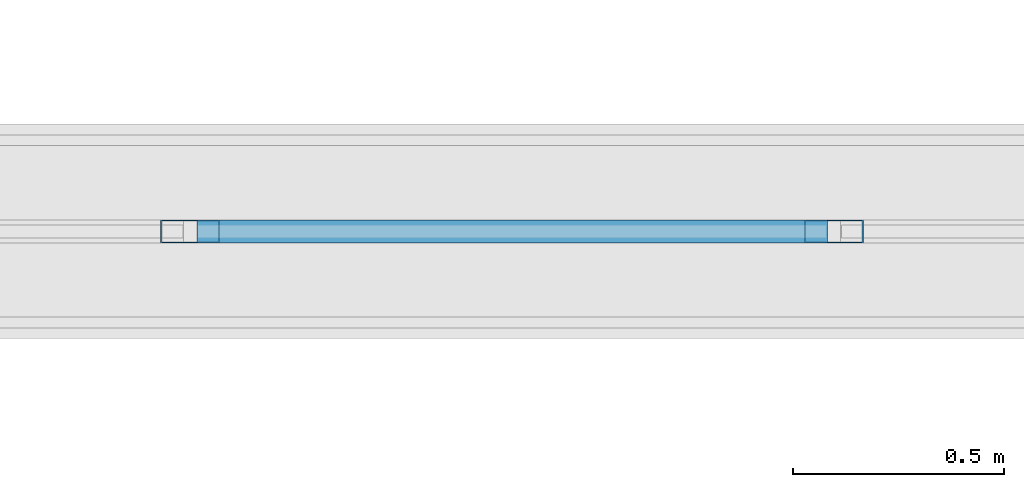
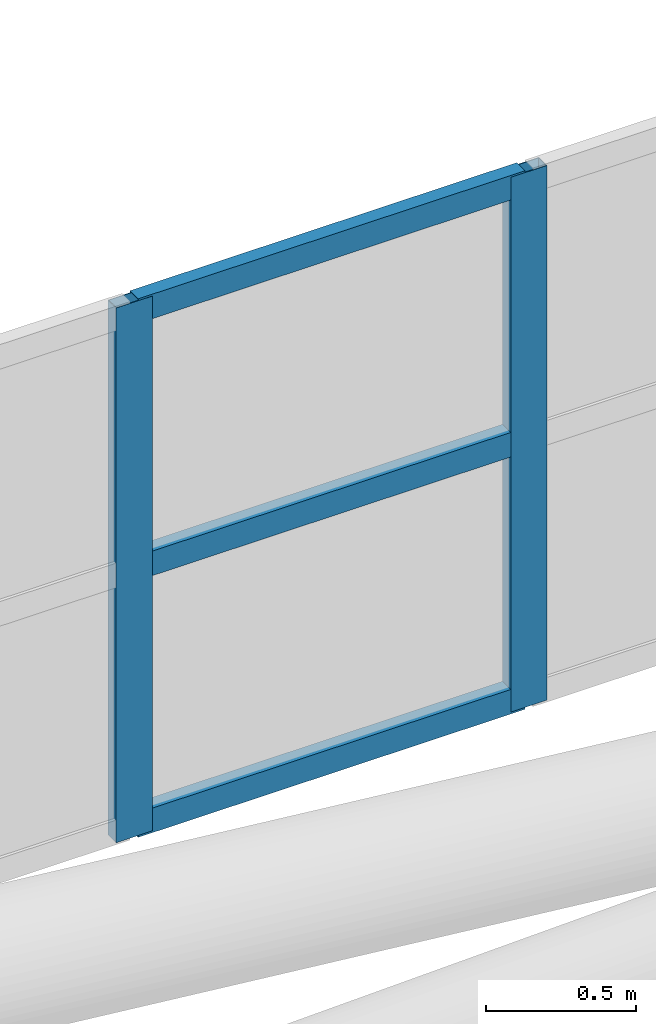
# One storey, part 108 of 397: 5 members, 1 element without a shape of its own.
"""IFC4 building model written with IfcOpenShell, lengths in metres."""

from ifc_helpers import new_model, si_unit, direction, frame, origin, origin_2d, place, context, subcontext, project, spatial, hollow_rectangle, extrude, material, material_profile, profile_set, type_object, element, aggregate, save


model = new_model("IFC4")

# Units and contexts
model_context = context("Model", 3, precision=1e-05, world=origin(), true_north=direction((0.0, 1.0)))
body_context = subcontext(model_context, "Body", "Model", "MODEL_VIEW")
ifc_project = project(units=[si_unit("LENGTHUNIT", "METRE"), si_unit("AREAUNIT", "SQUARE_METRE"), si_unit("VOLUMEUNIT", "CUBIC_METRE"), si_unit("PLANEANGLEUNIT", "RADIAN"), si_unit("MASSUNIT", "GRAM", prefix="KILO")], contexts=[model_context])

# Site, building, storey
site_placement = place(None, origin())
site = spatial("IfcSite", under=ifc_project, at=site_placement, CompositionType="ELEMENT")
building_placement = place(site_placement, origin())
building = spatial("IfcBuilding", under=site, at=building_placement, Name="Qandorah Velis Arena", CompositionType="ELEMENT")
storey_placement = place(building_placement, frame((0.0, 0.0, 27.5)))
storey = spatial("IfcBuildingStorey", under=building, at=storey_placement, Name="RF", CompositionType="ELEMENT", Elevation=27.5)

# Curtain wall, members
ifc_material_1 = material(Name="Solar-control low-E double glazing", Category="glass")
curtain_wall_type = type_object("IfcCurtainWallType", Name="ARC-CW-SYS20", PredefinedType="USERDEFINED", material=ifc_material_1)
curtain_wall_placement = place(storey_placement, origin())
curtain_wall = element("IfcCurtainWall", 1, at=curtain_wall_placement, inside=storey, type_object=curtain_wall_type, Name="Unitised curtain wall OCULUS-3-5", ObjectType="UNITISED CURTAIN WALL", PredefinedType="USERDEFINED")
ifc_material_2 = material(Name="Champagne-bronze anodized aluminium 6063-T6", Category="aluminium")
ifc_material_profile_1 = material_profile(ifc_material_2, hollow_rectangle(XDim=0.054931640625, YDim=0.139892578125, WallThickness=0.0029296875, at=origin_2d()), Name="ALU MULLION 55x140")
ifc_profile_set_1 = profile_set([ifc_material_profile_1], Name="Champagne-bronze anodized aluminium 6063-T6")
member_type_1 = type_object("IfcMemberType", Name="ARC-CWM-140", PredefinedType="MULLION", material=ifc_profile_set_1)
member_1_placement = place(storey_placement, frame((94.361083984375, 28.800048828125, 8.53515625), z_axis=(0.0, 0.0, 1.0), x_axis=(0.0, 1.0, 0.0)))
member_1 = element("IfcMember", 2, at=member_1_placement, type_object=member_type_1, Name="CW20 mullion 6", PredefinedType="MULLION", context=body_context, shape_type="SweptSolid", body=[
    extrude(hollow_rectangle(XDim=0.054931640625, YDim=0.139892578125, WallThickness=0.0029296875, at=origin_2d()), origin(), (0.0, 0.0, 1.0), 2.179931640625),
])
member_2_placement = place(storey_placement, frame((95.88330078125, 28.800048828125, 8.53515625), z_axis=(0.0, 0.0, 1.0), x_axis=(0.0, 1.0, 0.0)))
member_2 = element("IfcMember", 3, at=member_2_placement, type_object=member_type_1, Name="CW20 mullion 7", PredefinedType="MULLION", context=body_context, shape_type="SweptSolid", body=[
    extrude(hollow_rectangle(XDim=0.054931640625, YDim=0.139892578125, WallThickness=0.0029296875, at=origin_2d()), origin(), (0.0, 0.0, 1.0), 2.179931640625),
])
ifc_material_profile_2 = material_profile(ifc_material_2, hollow_rectangle(XDim=0.054931640625, YDim=0.10009765625, WallThickness=0.0029296875, at=origin_2d()), Name="ALU TRANSOM 55x100")
ifc_profile_set_2 = profile_set([ifc_material_profile_2], Name="Champagne-bronze anodized aluminium 6063-T6")
member_type_2 = type_object("IfcMemberType", Name="ARC-CWT-100", PredefinedType="USERDEFINED", material=ifc_profile_set_2)
member_3_placement = place(storey_placement, frame((94.376708984375, 28.800048828125, 8.57763671875), z_axis=(1.0, 0.0, 0.0), x_axis=(0.0, 1.0, 0.0)))
member_3 = element("IfcMember", 4, at=member_3_placement, type_object=member_type_2, Name="CW20 transom 6.1", ObjectType="TRANSOM", PredefinedType="USERDEFINED", context=body_context, shape_type="SweptSolid", body=[
    extrude(hollow_rectangle(XDim=0.054931640625, YDim=0.10009765625, WallThickness=0.0029296875, at=origin_2d()), origin(), (0.0, 0.0, 1.0), 1.4912109375),
])
member_4_placement = place(storey_placement, frame((94.376708984375, 28.800048828125, 9.625244140625), z_axis=(1.0, 0.0, 0.0), x_axis=(0.0, 1.0, 0.0)))
member_4 = element("IfcMember", 5, at=member_4_placement, type_object=member_type_2, Name="CW20 transom 6.2", ObjectType="TRANSOM", PredefinedType="USERDEFINED", context=body_context, shape_type="SweptSolid", body=[
    extrude(hollow_rectangle(XDim=0.054931640625, YDim=0.10009765625, WallThickness=0.0029296875, at=origin_2d()), origin(), (0.0, 0.0, 1.0), 1.4912109375),
])
member_5_placement = place(storey_placement, frame((94.376708984375, 28.800048828125, 10.672607421875), z_axis=(1.0, 0.0, 0.0), x_axis=(0.0, 1.0, 0.0)))
member_5 = element("IfcMember", 6, at=member_5_placement, type_object=member_type_2, Name="CW20 transom 6.3", ObjectType="TRANSOM", PredefinedType="USERDEFINED", context=body_context, shape_type="SweptSolid", body=[
    extrude(hollow_rectangle(XDim=0.054931640625, YDim=0.10009765625, WallThickness=0.0029296875, at=origin_2d()), origin(), (0.0, 0.0, 1.0), 1.4912109375),
])
aggregate(curtain_wall, [member_1, member_2, member_3, member_4, member_5])

save(model, "model.ifc")
